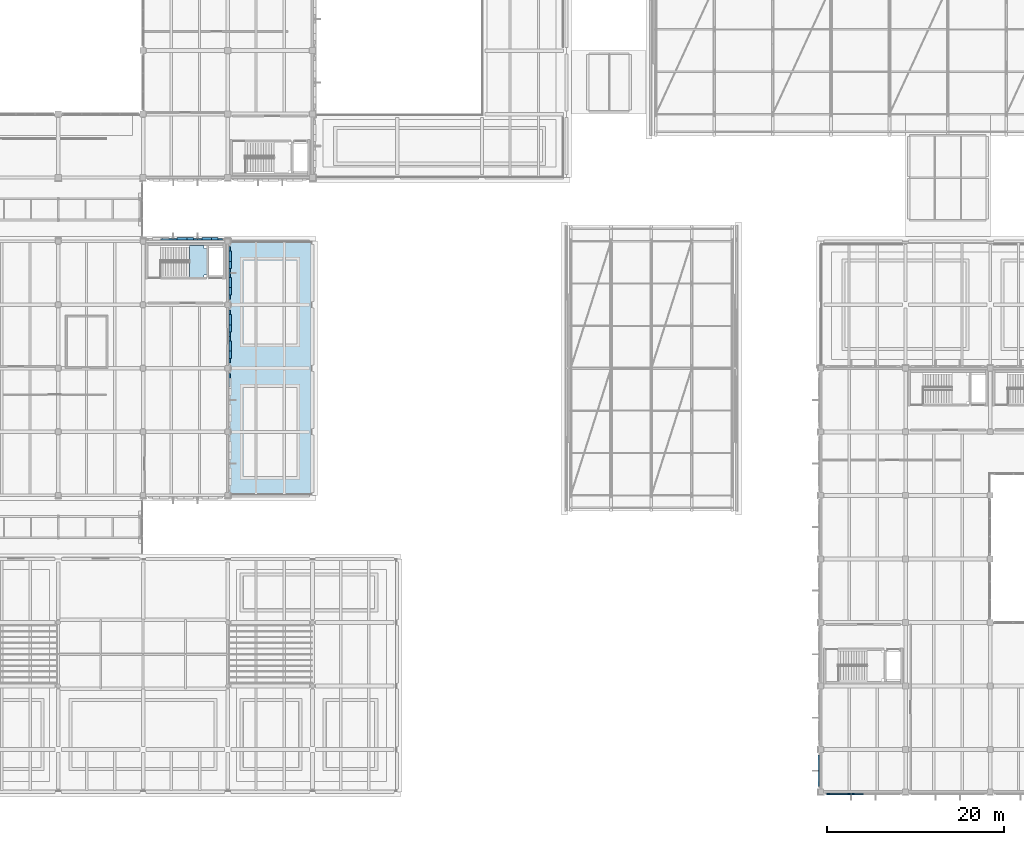
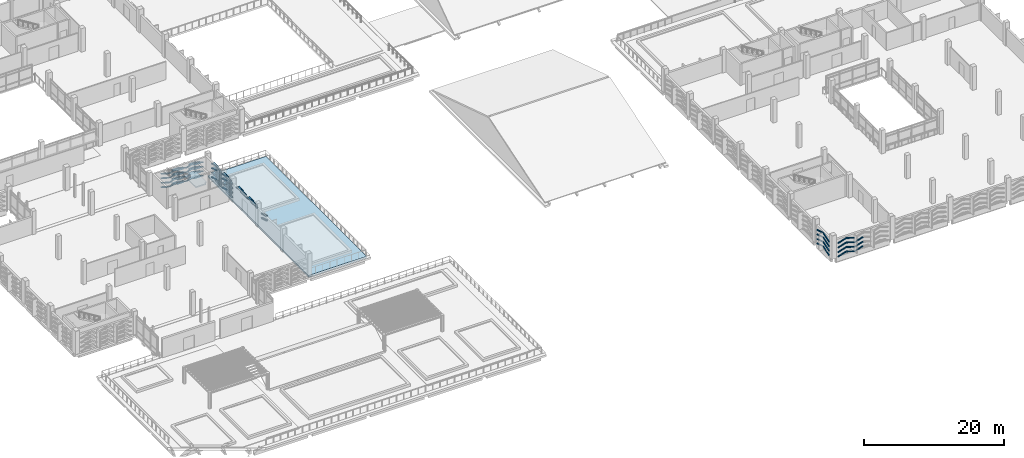
# One storey, part 92 of 134: 97 plates, 2 slabs, 1 element without a shape of its own.
"""IFC4 building model written with IfcOpenShell, lengths in metres."""

from ifc_helpers import new_model, si_unit, direction, frame, origin, origin_2d, place, context, subcontext, project, spatial, polyline, rectangle, hollow_rectangle, outline, extrude, material, layer, layer_set, material_profile, profile_set, type_object, element, aggregate, save


model = new_model("IFC4")

# Units and contexts
model_context = context("Model", 3, precision=1e-05, world=origin(), true_north=direction((0.0, 1.0)))
body_context = subcontext(model_context, "Body", "Model", "MODEL_VIEW")
ifc_project = project(units=[si_unit("LENGTHUNIT", "METRE"), si_unit("AREAUNIT", "SQUARE_METRE"), si_unit("VOLUMEUNIT", "CUBIC_METRE"), si_unit("PLANEANGLEUNIT", "RADIAN"), si_unit("MASSUNIT", "GRAM", prefix="KILO")], contexts=[model_context])

# Site, building, storey
site_placement = place(None, origin())
site = spatial("IfcSite", under=ifc_project, at=site_placement, CompositionType="ELEMENT")
building_placement = place(site_placement, origin())
building = spatial("IfcBuilding", under=site, at=building_placement, Name="Asteropetra Specialist Clinic", CompositionType="ELEMENT")
storey_placement = place(building_placement, frame((0.0, 0.0, 8.5)))
storey = spatial("IfcBuildingStorey", under=building, at=storey_placement, Name="L02", CompositionType="ELEMENT", Elevation=8.5)

# Plates
ifc_material_1 = material(Name="Chevron emerald aluminium 6063-T6", Category="aluminium")
ifc_material_profile = material_profile(ifc_material_1, hollow_rectangle(XDim=0.179931640625, YDim=0.179931640625, WallThickness=0.010009765625, InnerFilletRadius=0.008056640625, OuterFilletRadius=0.01611328125, at=origin_2d()), Name="SHS 180x180x10.0")
ifc_profile_set = profile_set([ifc_material_profile], Name="Chevron emerald aluminium 6063-T6")
plate_type_1 = type_object("IfcPlateType", Name="CHV-RIB-180", PredefinedType="SHEET", material=ifc_profile_set)
plate_1_placement = place(storey_placement, frame((37.760009765625, 62.636962890625, 0.050048828125), z_axis=(-0.952473286797, 0.0, 0.304622123191), x_axis=(0.0, -1.0, 0.0)))
element("IfcPlate", 1, at=plate_1_placement, inside=storey, type_object=plate_type_1, Name="Chevron Facade Screen Fin CVR-1774", PredefinedType="SHEET", context=body_context, shape_type="SweptSolid", body=[
    extrude(hollow_rectangle(XDim=0.179931640625, YDim=0.179931640625, WallThickness=0.010009765625, InnerFilletRadius=0.008056640625, OuterFilletRadius=0.01611328125, at=origin_2d()), origin(), (0.0, 0.0, 1.0), 1.44189453125),
])
plate_2_placement = place(storey_placement, frame((36.38671875, 62.636962890625, 0.4892578125), z_axis=(-0.952488995782, 0.0, -0.304573000962), x_axis=(0.0, -1.0, 0.0)))
element("IfcPlate", 2, at=plate_2_placement, inside=storey, type_object=plate_type_1, Name="Chevron Facade Screen Fin CVR-1775", PredefinedType="SHEET", context=body_context, shape_type="SweptSolid", body=[
    extrude(hollow_rectangle(XDim=0.179931640625, YDim=0.179931640625, WallThickness=0.010009765625, InnerFilletRadius=0.008056640625, OuterFilletRadius=0.01611328125, at=origin_2d()), origin(), (0.0, 0.0, 1.0), 1.442138671875),
])
plate_3_placement = place(storey_placement, frame((37.760009765625, 62.636962890625, 0.820068359375), z_axis=(-0.952473286797, 0.0, 0.304622123191), x_axis=(0.0, -1.0, 0.0)))
element("IfcPlate", 3, at=plate_3_placement, inside=storey, type_object=plate_type_1, Name="Chevron Facade Screen Fin CVR-1776", PredefinedType="SHEET", context=body_context, shape_type="SweptSolid", body=[
    extrude(hollow_rectangle(XDim=0.179931640625, YDim=0.179931640625, WallThickness=0.010009765625, InnerFilletRadius=0.008056640625, OuterFilletRadius=0.01611328125, at=origin_2d()), origin(), (0.0, 0.0, 1.0), 1.44189453125),
])
plate_4_placement = place(storey_placement, frame((36.38671875, 62.636962890625, 1.25927734375), z_axis=(-0.952488995782, 0.0, -0.304573000962), x_axis=(0.0, -1.0, 0.0)))
element("IfcPlate", 4, at=plate_4_placement, inside=storey, type_object=plate_type_1, Name="Chevron Facade Screen Fin CVR-1777", PredefinedType="SHEET", context=body_context, shape_type="SweptSolid", body=[
    extrude(hollow_rectangle(XDim=0.179931640625, YDim=0.179931640625, WallThickness=0.010009765625, InnerFilletRadius=0.008056640625, OuterFilletRadius=0.01611328125, at=origin_2d()), origin(), (0.0, 0.0, 1.0), 1.442138671875),
])
plate_5_placement = place(storey_placement, frame((37.760009765625, 62.636962890625, 1.6201171875), z_axis=(-0.952473286797, 0.0, 0.304622123191), x_axis=(0.0, -1.0, 0.0)))
element("IfcPlate", 5, at=plate_5_placement, inside=storey, type_object=plate_type_1, Name="Chevron Facade Screen Fin CVR-1778", PredefinedType="SHEET", context=body_context, shape_type="SweptSolid", body=[
    extrude(hollow_rectangle(XDim=0.179931640625, YDim=0.179931640625, WallThickness=0.010009765625, InnerFilletRadius=0.008056640625, OuterFilletRadius=0.01611328125, at=origin_2d()), origin(), (0.0, 0.0, 1.0), 1.44189453125),
])
plate_6_placement = place(storey_placement, frame((36.38671875, 62.636962890625, 2.059326171875), z_axis=(-0.952488995782, 0.0, -0.304573000962), x_axis=(0.0, -1.0, 0.0)))
element("IfcPlate", 6, at=plate_6_placement, inside=storey, type_object=plate_type_1, Name="Chevron Facade Screen Fin CVR-1779", PredefinedType="SHEET", context=body_context, shape_type="SweptSolid", body=[
    extrude(hollow_rectangle(XDim=0.179931640625, YDim=0.179931640625, WallThickness=0.010009765625, InnerFilletRadius=0.008056640625, OuterFilletRadius=0.01611328125, at=origin_2d()), origin(), (0.0, 0.0, 1.0), 1.442138671875),
])
plate_7_placement = place(storey_placement, frame((37.760009765625, 62.636962890625, 2.39990234375), z_axis=(-0.952424147199, 0.0, 0.304775727104), x_axis=(0.0, -1.0, 0.0)))
element("IfcPlate", 7, at=plate_7_placement, inside=storey, type_object=plate_type_1, Name="Chevron Facade Screen Fin CVR-1780", PredefinedType="SHEET", context=body_context, shape_type="SweptSolid", body=[
    extrude(hollow_rectangle(XDim=0.179931640625, YDim=0.179931640625, WallThickness=0.010009765625, InnerFilletRadius=0.008056640625, OuterFilletRadius=0.01611328125, at=origin_2d()), origin(), (0.0, 0.0, 1.0), 1.44189453125),
])
plate_8_placement = place(storey_placement, frame((36.38671875, 62.636962890625, 2.83935546875), z_axis=(-0.952439871219, 0.0, -0.304726585175), x_axis=(0.0, -1.0, 0.0)))
element("IfcPlate", 8, at=plate_8_placement, inside=storey, type_object=plate_type_1, Name="Chevron Facade Screen Fin CVR-1781", PredefinedType="SHEET", context=body_context, shape_type="SweptSolid", body=[
    extrude(hollow_rectangle(XDim=0.179931640625, YDim=0.179931640625, WallThickness=0.010009765625, InnerFilletRadius=0.008056640625, OuterFilletRadius=0.01611328125, at=origin_2d()), origin(), (0.0, 0.0, 1.0), 1.442138671875),
])
for number, where, z_axis, x_axis, name in (
    (9, (34.973388671875, 62.636962890625, 0.050048828125), (-0.952473286797, 0.0, 0.304622123191), (0.0, -1.0, 0.0), "Chevron Facade Screen Fin CVR-1782"),
    (10, (33.60009765625, 62.636962890625, 0.4892578125), (-0.952473286797, 0.0, -0.304622123191), (0.0, -1.0, 0.0), "Chevron Facade Screen Fin CVR-1783"),
    (11, (34.973388671875, 62.636962890625, 0.820068359375), (-0.952473286797, 0.0, 0.304622123191), (0.0, -1.0, 0.0), "Chevron Facade Screen Fin CVR-1784"),
    (12, (33.60009765625, 62.636962890625, 1.25927734375), (-0.952473286797, 0.0, -0.304622123191), (0.0, -1.0, 0.0), "Chevron Facade Screen Fin CVR-1785"),
    (13, (34.973388671875, 62.636962890625, 1.6201171875), (-0.952473286797, 0.0, 0.304622123191), (0.0, -1.0, 0.0), "Chevron Facade Screen Fin CVR-1786"),
    (14, (33.60009765625, 62.636962890625, 2.059326171875), (-0.952473286797, 0.0, -0.304622123191), (0.0, -1.0, 0.0), "Chevron Facade Screen Fin CVR-1787"),
    (15, (34.973388671875, 62.636962890625, 2.39990234375), (-0.952424147199, 0.0, 0.304775727104), (0.0, -1.0, 0.0), "Chevron Facade Screen Fin CVR-1788"),
    (16, (33.60009765625, 62.636962890625, 2.83935546875), (-0.952424147199, 0.0, -0.304775727104), (0.0, -1.0, 0.0), "Chevron Facade Screen Fin CVR-1789"),
):
    element("IfcPlate", number, at=place(storey_placement, frame(where, z_axis=z_axis, x_axis=x_axis)), inside=storey, type_object=plate_type_1, Name=name, PredefinedType="SHEET", context=body_context, shape_type="SweptSolid", body=[
        extrude(hollow_rectangle(XDim=0.179931640625, YDim=0.179931640625, WallThickness=0.010009765625, InnerFilletRadius=0.008056640625, OuterFilletRadius=0.01611328125, at=origin_2d()), origin(), (0.0, 0.0, 1.0), 1.44189453125),
    ])
for number, where, z_axis, x_axis, name in (
    (17, (32.186767578125, 62.636962890625, 0.050048828125), (-0.952488995782, 0.0, 0.304573000962), (0.0, -1.0, 0.0), "Chevron Facade Screen Fin CVR-1790"),
    (18, (32.186767578125, 62.636962890625, 0.820068359375), (-0.952488995782, 0.0, 0.304573000962), (0.0, -1.0, 0.0), "Chevron Facade Screen Fin CVR-1792"),
    (19, (32.186767578125, 62.636962890625, 1.6201171875), (-0.952488995782, 0.0, 0.304573000962), (0.0, -1.0, 0.0), "Chevron Facade Screen Fin CVR-1794"),
    (20, (32.186767578125, 62.636962890625, 2.39990234375), (-0.952439871219, 0.0, 0.304726585175), (0.0, -1.0, 0.0), "Chevron Facade Screen Fin CVR-1796"),
):
    element("IfcPlate", number, at=place(storey_placement, frame(where, z_axis=z_axis, x_axis=x_axis)), inside=storey, type_object=plate_type_1, Name=name, PredefinedType="SHEET", context=body_context, shape_type="SweptSolid", body=[
        extrude(hollow_rectangle(XDim=0.179931640625, YDim=0.179931640625, WallThickness=0.010009765625, InnerFilletRadius=0.008056640625, OuterFilletRadius=0.01611328125, at=origin_2d()), origin(), (0.0, 0.0, 1.0), 1.442138671875),
    ])
for number, where, z_axis, x_axis, name in (
    (21, (38.636962890625, 45.889892578125, 2.08984375), (0.0, 0.952563631942, -0.304339493168), (-1.0, 0.0, 0.0), "Chevron Facade Screen Fin CVR-1859"),
    (22, (38.636962890625, 45.889892578125, 2.869873046875), (0.0, 0.952517766347, -0.304483012324), (-1.0, 0.0, 0.0), "Chevron Facade Screen Fin CVR-1861"),
):
    element("IfcPlate", number, at=place(storey_placement, frame(where, z_axis=z_axis, x_axis=x_axis)), inside=storey, type_object=plate_type_1, Name=name, PredefinedType="SHEET", context=body_context, shape_type="SweptSolid", body=[
        extrude(hollow_rectangle(XDim=0.179931640625, YDim=0.179931640625, WallThickness=0.010009765625, InnerFilletRadius=0.008056640625, OuterFilletRadius=0.01611328125, at=origin_2d()), origin(), (0.0, 0.0, 1.0), 1.54345703125),
    ])
plate_9_placement = place(storey_placement, frame((38.636962890625, 48.639892578125, 2.60009765625), z_axis=(0.0, 0.963260802126, 0.268567732775), x_axis=(-1.0, 0.0, 0.0)))
element("IfcPlate", 23, at=plate_9_placement, inside=storey, type_object=plate_type_1, Name="Chevron Facade Screen Fin CVR-1878", PredefinedType="SHEET", context=body_context, shape_type="SweptSolid", body=[
    extrude(hollow_rectangle(XDim=0.179931640625, YDim=0.179931640625, WallThickness=0.010009765625, InnerFilletRadius=0.008056640625, OuterFilletRadius=0.01611328125, at=origin_2d()), origin(), (0.0, 0.0, 1.0), 1.5263671875),
])
for number, where, z_axis, x_axis, name in (
    (24, (38.636962890625, 50.110107421875, 3.010009765625), (0.0, 0.963249261983, -0.268609119892), (-1.0, 0.0, 0.0), "Chevron Facade Screen Fin CVR-1879"),
    (25, (38.636962890625, 51.6201171875, 2.60009765625), (0.0, 0.963249261983, 0.268609119892), (-1.0, 0.0, 0.0), "Chevron Facade Screen Fin CVR-1880"),
    (26, (38.636962890625, 53.090087890625, 3.010009765625), (0.0, 0.963249261983, -0.268609119892), (-1.0, 0.0, 0.0), "Chevron Facade Screen Fin CVR-1881"),
):
    element("IfcPlate", number, at=place(storey_placement, frame(where, z_axis=z_axis, x_axis=x_axis)), inside=storey, type_object=plate_type_1, Name=name, PredefinedType="SHEET", context=body_context, shape_type="SweptSolid", body=[
        extrude(hollow_rectangle(XDim=0.179931640625, YDim=0.179931640625, WallThickness=0.010009765625, InnerFilletRadius=0.008056640625, OuterFilletRadius=0.01611328125, at=origin_2d()), origin(), (0.0, 0.0, 1.0), 1.526123046875),
    ])
for number, where, z_axis, x_axis, name in (
    (27, (38.636962890625, 55.840087890625, 0.050048828125), (0.0, 0.952548977542, 0.304385356717), (-1.0, 0.0, 0.0), "Chevron Facade Screen Fin CVR-1898"),
    (28, (38.636962890625, 57.31005859375, 0.519775390625), (0.0, 0.952548977542, -0.304385356717), (-1.0, 0.0, 0.0), "Chevron Facade Screen Fin CVR-1899"),
    (29, (38.636962890625, 55.840087890625, 0.820068359375), (0.0, 0.952548977542, 0.304385356717), (-1.0, 0.0, 0.0), "Chevron Facade Screen Fin CVR-1900"),
    (30, (38.636962890625, 57.31005859375, 1.289794921875), (0.0, 0.952548977542, -0.304385356717), (-1.0, 0.0, 0.0), "Chevron Facade Screen Fin CVR-1901"),
    (31, (38.636962890625, 55.840087890625, 1.6201171875), (0.0, 0.952548977542, 0.304385356717), (-1.0, 0.0, 0.0), "Chevron Facade Screen Fin CVR-1902"),
    (32, (38.636962890625, 57.31005859375, 2.08984375), (0.0, 0.952548977542, -0.304385356717), (-1.0, 0.0, 0.0), "Chevron Facade Screen Fin CVR-1903"),
    (33, (38.636962890625, 55.840087890625, 2.39990234375), (0.0, 0.952503098829, 0.304528893082), (-1.0, 0.0, 0.0), "Chevron Facade Screen Fin CVR-1904"),
    (34, (38.636962890625, 57.31005859375, 2.869873046875), (0.0, 0.952503098829, -0.304528893082), (-1.0, 0.0, 0.0), "Chevron Facade Screen Fin CVR-1905"),
    (35, (38.636962890625, 58.820068359375, 0.050048828125), (0.0, 0.952548977542, 0.304385356717), (-1.0, 0.0, 0.0), "Chevron Facade Screen Fin CVR-1906"),
    (36, (38.636962890625, 60.2900390625, 0.519775390625), (0.0, 0.952548977542, -0.304385356717), (-1.0, 0.0, 0.0), "Chevron Facade Screen Fin CVR-1907"),
    (37, (38.636962890625, 58.820068359375, 0.820068359375), (0.0, 0.952548977542, 0.304385356717), (-1.0, 0.0, 0.0), "Chevron Facade Screen Fin CVR-1908"),
    (38, (38.636962890625, 60.2900390625, 1.289794921875), (0.0, 0.952548977542, -0.304385356717), (-1.0, 0.0, 0.0), "Chevron Facade Screen Fin CVR-1909"),
    (39, (38.636962890625, 58.820068359375, 1.6201171875), (0.0, 0.952548977542, 0.304385356717), (-1.0, 0.0, 0.0), "Chevron Facade Screen Fin CVR-1910"),
    (40, (38.636962890625, 60.2900390625, 2.08984375), (0.0, 0.952548977542, -0.304385356717), (-1.0, 0.0, 0.0), "Chevron Facade Screen Fin CVR-1911"),
    (41, (38.636962890625, 58.820068359375, 2.39990234375), (0.0, 0.952503098829, 0.304528893082), (-1.0, 0.0, 0.0), "Chevron Facade Screen Fin CVR-1912"),
    (42, (38.636962890625, 60.2900390625, 2.869873046875), (0.0, 0.952503098829, -0.304528893082), (-1.0, 0.0, 0.0), "Chevron Facade Screen Fin CVR-1913"),
):
    element("IfcPlate", number, at=place(storey_placement, frame(where, z_axis=z_axis, x_axis=x_axis)), inside=storey, type_object=plate_type_1, Name=name, PredefinedType="SHEET", context=body_context, shape_type="SweptSolid", body=[
        extrude(hollow_rectangle(XDim=0.179931640625, YDim=0.179931640625, WallThickness=0.010009765625, InnerFilletRadius=0.008056640625, OuterFilletRadius=0.01611328125, at=origin_2d()), origin(), (0.0, 0.0, 1.0), 1.543212890625),
    ])
plate_10_placement = place(storey_placement, frame((106.264892578125, -0.239501953125, 0.050048828125), z_axis=(0.952430080856, 0.0, 0.304757183805), x_axis=(0.0, 1.0, 0.0)))
element("IfcPlate", 43, at=plate_10_placement, inside=storey, type_object=plate_type_1, Name="Chevron Facade Screen Fin CVR-2464", PredefinedType="SHEET", context=body_context, shape_type="SweptSolid", body=[
    extrude(hollow_rectangle(XDim=0.179931640625, YDim=0.179931640625, WallThickness=0.010009765625, InnerFilletRadius=0.008056640625, OuterFilletRadius=0.01611328125, at=origin_2d()), origin(), (0.0, 0.0, 1.0), 1.43310546875),
])
plate_11_placement = place(storey_placement, frame((107.6298828125, -0.239501953125, 0.48681640625), z_axis=(0.952445898647, 0.0, -0.304707745472), x_axis=(0.0, 1.0, 0.0)))
element("IfcPlate", 44, at=plate_11_placement, inside=storey, type_object=plate_type_1, Name="Chevron Facade Screen Fin CVR-2465", PredefinedType="SHEET", context=body_context, shape_type="SweptSolid", body=[
    extrude(hollow_rectangle(XDim=0.179931640625, YDim=0.179931640625, WallThickness=0.010009765625, InnerFilletRadius=0.008056640625, OuterFilletRadius=0.01611328125, at=origin_2d()), origin(), (0.0, 0.0, 1.0), 1.433349609375),
])
plate_12_placement = place(storey_placement, frame((106.264892578125, -0.239501953125, 0.820068359375), z_axis=(0.952479516829, 0.0, 0.304602642835), x_axis=(0.0, 1.0, 0.0)))
element("IfcPlate", 45, at=plate_12_placement, inside=storey, type_object=plate_type_1, Name="Chevron Facade Screen Fin CVR-2466", PredefinedType="SHEET", context=body_context, shape_type="SweptSolid", body=[
    extrude(hollow_rectangle(XDim=0.179931640625, YDim=0.179931640625, WallThickness=0.010009765625, InnerFilletRadius=0.008056640625, OuterFilletRadius=0.01611328125, at=origin_2d()), origin(), (0.0, 0.0, 1.0), 1.43310546875),
])
plate_13_placement = place(storey_placement, frame((107.6298828125, -0.239501953125, 1.256591796875), z_axis=(0.952495319401, 0.0, -0.304553224444), x_axis=(0.0, 1.0, 0.0)))
element("IfcPlate", 46, at=plate_13_placement, inside=storey, type_object=plate_type_1, Name="Chevron Facade Screen Fin CVR-2467", PredefinedType="SHEET", context=body_context, shape_type="SweptSolid", body=[
    extrude(hollow_rectangle(XDim=0.179931640625, YDim=0.179931640625, WallThickness=0.010009765625, InnerFilletRadius=0.008056640625, OuterFilletRadius=0.01611328125, at=origin_2d()), origin(), (0.0, 0.0, 1.0), 1.433349609375),
])
plate_14_placement = place(storey_placement, frame((106.264892578125, -0.239501953125, 1.6201171875), z_axis=(0.952479516829, 0.0, 0.304602642835), x_axis=(0.0, 1.0, 0.0)))
element("IfcPlate", 47, at=plate_14_placement, inside=storey, type_object=plate_type_1, Name="Chevron Facade Screen Fin CVR-2468", PredefinedType="SHEET", context=body_context, shape_type="SweptSolid", body=[
    extrude(hollow_rectangle(XDim=0.179931640625, YDim=0.179931640625, WallThickness=0.010009765625, InnerFilletRadius=0.008056640625, OuterFilletRadius=0.01611328125, at=origin_2d()), origin(), (0.0, 0.0, 1.0), 1.43310546875),
])
plate_15_placement = place(storey_placement, frame((107.6298828125, -0.239501953125, 2.056640625), z_axis=(0.952495319401, 0.0, -0.304553224444), x_axis=(0.0, 1.0, 0.0)))
element("IfcPlate", 48, at=plate_15_placement, inside=storey, type_object=plate_type_1, Name="Chevron Facade Screen Fin CVR-2469", PredefinedType="SHEET", context=body_context, shape_type="SweptSolid", body=[
    extrude(hollow_rectangle(XDim=0.179931640625, YDim=0.179931640625, WallThickness=0.010009765625, InnerFilletRadius=0.008056640625, OuterFilletRadius=0.01611328125, at=origin_2d()), origin(), (0.0, 0.0, 1.0), 1.433349609375),
])
plate_16_placement = place(storey_placement, frame((106.264892578125, -0.239501953125, 2.39990234375), z_axis=(0.952430080856, 0.0, 0.304757183805), x_axis=(0.0, 1.0, 0.0)))
element("IfcPlate", 49, at=plate_16_placement, inside=storey, type_object=plate_type_1, Name="Chevron Facade Screen Fin CVR-2470", PredefinedType="SHEET", context=body_context, shape_type="SweptSolid", body=[
    extrude(hollow_rectangle(XDim=0.179931640625, YDim=0.179931640625, WallThickness=0.010009765625, InnerFilletRadius=0.008056640625, OuterFilletRadius=0.01611328125, at=origin_2d()), origin(), (0.0, 0.0, 1.0), 1.43310546875),
])
plate_17_placement = place(storey_placement, frame((107.6298828125, -0.239501953125, 2.836669921875), z_axis=(0.952445898647, 0.0, -0.304707745472), x_axis=(0.0, 1.0, 0.0)))
element("IfcPlate", 50, at=plate_17_placement, inside=storey, type_object=plate_type_1, Name="Chevron Facade Screen Fin CVR-2471", PredefinedType="SHEET", context=body_context, shape_type="SweptSolid", body=[
    extrude(hollow_rectangle(XDim=0.179931640625, YDim=0.179931640625, WallThickness=0.010009765625, InnerFilletRadius=0.008056640625, OuterFilletRadius=0.01611328125, at=origin_2d()), origin(), (0.0, 0.0, 1.0), 1.433349609375),
])
for number, where, z_axis, x_axis, name in (
    (51, (109.034912109375, -0.239501953125, 0.050048828125), (0.952430080856, 0.0, 0.304757183805), (0.0, 1.0, 0.0), "Chevron Facade Screen Fin CVR-2472"),
    (52, (109.034912109375, -0.239501953125, 0.820068359375), (0.952479516829, 0.0, 0.304602642835), (0.0, 1.0, 0.0), "Chevron Facade Screen Fin CVR-2474"),
    (53, (109.034912109375, -0.239501953125, 1.6201171875), (0.952479516829, 0.0, 0.304602642835), (0.0, 1.0, 0.0), "Chevron Facade Screen Fin CVR-2476"),
):
    element("IfcPlate", number, at=place(storey_placement, frame(where, z_axis=z_axis, x_axis=x_axis)), inside=storey, type_object=plate_type_1, Name=name, PredefinedType="SHEET", context=body_context, shape_type="SweptSolid", body=[
        extrude(hollow_rectangle(XDim=0.179931640625, YDim=0.179931640625, WallThickness=0.010009765625, InnerFilletRadius=0.008056640625, OuterFilletRadius=0.01611328125, at=origin_2d()), origin(), (0.0, 0.0, 1.0), 1.43310546875),
    ])
plate_18_placement = place(storey_placement, frame((105.360595703125, 4.135009765625, 0.050048828125), z_axis=(0.0, -0.952744267711, 0.303773534633), x_axis=(1.0, 0.0, 0.0)))
element("IfcPlate", 54, at=plate_18_placement, inside=storey, type_object=plate_type_1, Name="Chevron Facade Screen Fin CVR-2686", PredefinedType="SHEET", context=body_context, shape_type="SweptSolid", body=[
    extrude(hollow_rectangle(XDim=0.179931640625, YDim=0.179931640625, WallThickness=0.010009765625, InnerFilletRadius=0.008056640625, OuterFilletRadius=0.01611328125, at=origin_2d()), origin(), (0.0, 0.0, 1.0), 1.8212890625),
])
plate_19_placement = place(storey_placement, frame((105.360595703125, 2.39990234375, 0.603271484375), z_axis=(0.0, -0.952731894766, -0.303812337959), x_axis=(1.0, 0.0, 0.0)))
element("IfcPlate", 55, at=plate_19_placement, inside=storey, type_object=plate_type_1, Name="Chevron Facade Screen Fin CVR-2687", PredefinedType="SHEET", context=body_context, shape_type="SweptSolid", body=[
    extrude(hollow_rectangle(XDim=0.179931640625, YDim=0.179931640625, WallThickness=0.010009765625, InnerFilletRadius=0.008056640625, OuterFilletRadius=0.01611328125, at=origin_2d()), origin(), (0.0, 0.0, 1.0), 1.821044921875),
])
plate_20_placement = place(storey_placement, frame((105.360595703125, 4.135009765625, 0.820068359375), z_axis=(0.0, -0.952744267711, 0.303773534633), x_axis=(1.0, 0.0, 0.0)))
element("IfcPlate", 56, at=plate_20_placement, inside=storey, type_object=plate_type_1, Name="Chevron Facade Screen Fin CVR-2688", PredefinedType="SHEET", context=body_context, shape_type="SweptSolid", body=[
    extrude(hollow_rectangle(XDim=0.179931640625, YDim=0.179931640625, WallThickness=0.010009765625, InnerFilletRadius=0.008056640625, OuterFilletRadius=0.01611328125, at=origin_2d()), origin(), (0.0, 0.0, 1.0), 1.8212890625),
])
plate_21_placement = place(storey_placement, frame((105.360595703125, 2.39990234375, 1.373291015625), z_axis=(0.0, -0.952731894766, -0.303812337959), x_axis=(1.0, 0.0, 0.0)))
element("IfcPlate", 57, at=plate_21_placement, inside=storey, type_object=plate_type_1, Name="Chevron Facade Screen Fin CVR-2689", PredefinedType="SHEET", context=body_context, shape_type="SweptSolid", body=[
    extrude(hollow_rectangle(XDim=0.179931640625, YDim=0.179931640625, WallThickness=0.010009765625, InnerFilletRadius=0.008056640625, OuterFilletRadius=0.01611328125, at=origin_2d()), origin(), (0.0, 0.0, 1.0), 1.821044921875),
])
plate_22_placement = place(storey_placement, frame((105.360595703125, 4.135009765625, 1.6201171875), z_axis=(0.0, -0.952744267711, 0.303773534633), x_axis=(1.0, 0.0, 0.0)))
element("IfcPlate", 58, at=plate_22_placement, inside=storey, type_object=plate_type_1, Name="Chevron Facade Screen Fin CVR-2690", PredefinedType="SHEET", context=body_context, shape_type="SweptSolid", body=[
    extrude(hollow_rectangle(XDim=0.179931640625, YDim=0.179931640625, WallThickness=0.010009765625, InnerFilletRadius=0.008056640625, OuterFilletRadius=0.01611328125, at=origin_2d()), origin(), (0.0, 0.0, 1.0), 1.8212890625),
])
plate_23_placement = place(storey_placement, frame((105.360595703125, 2.39990234375, 2.17333984375), z_axis=(0.0, -0.952731894766, -0.303812337959), x_axis=(1.0, 0.0, 0.0)))
element("IfcPlate", 59, at=plate_23_placement, inside=storey, type_object=plate_type_1, Name="Chevron Facade Screen Fin CVR-2691", PredefinedType="SHEET", context=body_context, shape_type="SweptSolid", body=[
    extrude(hollow_rectangle(XDim=0.179931640625, YDim=0.179931640625, WallThickness=0.010009765625, InnerFilletRadius=0.008056640625, OuterFilletRadius=0.01611328125, at=origin_2d()), origin(), (0.0, 0.0, 1.0), 1.821044921875),
])
plate_24_placement = place(storey_placement, frame((105.360595703125, 4.135009765625, 2.39990234375), z_axis=(0.0, -0.952705462899, 0.303895213788), x_axis=(1.0, 0.0, 0.0)))
element("IfcPlate", 60, at=plate_24_placement, inside=storey, type_object=plate_type_1, Name="Chevron Facade Screen Fin CVR-2692", PredefinedType="SHEET", context=body_context, shape_type="SweptSolid", body=[
    extrude(hollow_rectangle(XDim=0.179931640625, YDim=0.179931640625, WallThickness=0.010009765625, InnerFilletRadius=0.008056640625, OuterFilletRadius=0.01611328125, at=origin_2d()), origin(), (0.0, 0.0, 1.0), 1.8212890625),
])
plate_25_placement = place(storey_placement, frame((105.360595703125, 2.39990234375, 2.953369140625), z_axis=(0.0, -0.952693080543, -0.303934029495), x_axis=(1.0, 0.0, 0.0)))
element("IfcPlate", 61, at=plate_25_placement, inside=storey, type_object=plate_type_1, Name="Chevron Facade Screen Fin CVR-2693", PredefinedType="SHEET", context=body_context, shape_type="SweptSolid", body=[
    extrude(hollow_rectangle(XDim=0.179931640625, YDim=0.179931640625, WallThickness=0.010009765625, InnerFilletRadius=0.008056640625, OuterFilletRadius=0.01611328125, at=origin_2d()), origin(), (0.0, 0.0, 1.0), 1.821044921875),
])
ifc_material_2 = material(Name="Aluminium 6063-T6", Category="aluminium")
ifc_layer_1 = layer(ifc_material_2, 0.139892578125)
ifc_layer_set_1 = layer_set([ifc_layer_1], Name="Aluminium 6063-T6")
plate_type_2 = type_object("IfcPlateType", Name="PLT-CHV-TILE", PredefinedType="SHEET", material=ifc_layer_set_1)
for number, where, z_axis, x_axis, name in (
    (62, (36.771240234375, 62.68505859375, 0.03173828125), (0.0, 0.0, 1.0), (1.0, 0.0, 0.0), "Chevron Ceramic Panel CPT-1425"),
    (63, (36.002197265625, 62.68505859375, 0.19873046875), (0.0, 0.0, 1.0), (1.0, 0.0, 0.0), "Chevron Ceramic Panel CPT-1426"),
    (64, (36.771240234375, 62.68505859375, 0.8017578125), (0.0, 0.0, 1.0), (1.0, 0.0, 0.0), "Chevron Ceramic Panel CPT-1427"),
    (65, (36.002197265625, 62.68505859375, 0.96875), (0.0, 0.0, 1.0), (1.0, 0.0, 0.0), "Chevron Ceramic Panel CPT-1428"),
    (66, (36.771240234375, 62.68505859375, 1.6015625), (0.0, 0.0, 1.0), (1.0, 0.0, 0.0), "Chevron Ceramic Panel CPT-1429"),
    (67, (36.002197265625, 62.68505859375, 1.7685546875), (0.0, 0.0, 1.0), (1.0, 0.0, 0.0), "Chevron Ceramic Panel CPT-1430"),
    (68, (36.771240234375, 62.68505859375, 2.3818359375), (0.0, 0.0, 1.0), (1.0, 0.0, 0.0), "Chevron Ceramic Panel CPT-1431"),
    (69, (36.002197265625, 62.68505859375, 2.548828125), (0.0, 0.0, 1.0), (1.0, 0.0, 0.0), "Chevron Ceramic Panel CPT-1432"),
    (70, (33.984619140625, 62.68505859375, 0.03173828125), (0.0, 0.0, 1.0), (1.0, 0.0, 0.0), "Chevron Ceramic Panel CPT-1433"),
    (71, (33.215576171875, 62.68505859375, 0.19873046875), (0.0, 0.0, 1.0), (1.0, 0.0, 0.0), "Chevron Ceramic Panel CPT-1434"),
    (72, (33.984619140625, 62.68505859375, 0.8017578125), (0.0, 0.0, 1.0), (1.0, 0.0, 0.0), "Chevron Ceramic Panel CPT-1435"),
    (73, (33.215576171875, 62.68505859375, 0.96875), (0.0, 0.0, 1.0), (1.0, 0.0, 0.0), "Chevron Ceramic Panel CPT-1436"),
    (74, (33.984619140625, 62.68505859375, 1.6015625), (0.0, 0.0, 1.0), (1.0, 0.0, 0.0), "Chevron Ceramic Panel CPT-1437"),
    (75, (33.215576171875, 62.68505859375, 1.7685546875), (0.0, 0.0, 1.0), (1.0, 0.0, 0.0), "Chevron Ceramic Panel CPT-1438"),
    (76, (33.984619140625, 62.68505859375, 2.3818359375), (0.0, 0.0, 1.0), (1.0, 0.0, 0.0), "Chevron Ceramic Panel CPT-1439"),
    (77, (33.215576171875, 62.68505859375, 2.548828125), (0.0, 0.0, 1.0), (1.0, 0.0, 0.0), "Chevron Ceramic Panel CPT-1440"),
):
    element("IfcPlate", number, at=place(storey_placement, frame(where, z_axis=z_axis, x_axis=x_axis)), inside=storey, type_object=plate_type_2, Name=name, PredefinedType="SHEET", context=body_context, shape_type="SweptSolid", body=[
        extrude(rectangle(XDim=1.09912109375, YDim=0.280029296875, at=origin_2d()), origin(), (0.0, 0.0, 1.0), 0.300048828125),
    ])
for number, where, z_axis, x_axis, name in (
    (78, (38.68505859375, 49.698486328125, 2.57275390625), (0.0, 0.0, 1.0), (1.0, 0.0, 0.0), "Chevron Ceramic Panel CPT-1529"),
    (79, (38.68505859375, 50.521484375, 2.72900390625), (0.0, 0.0, 1.0), (1.0, 0.0, 0.0), "Chevron Ceramic Panel CPT-1530"),
    (80, (38.68505859375, 52.678466796875, 2.57275390625), (0.0, 0.0, 1.0), (1.0, 0.0, 0.0), "Chevron Ceramic Panel CPT-1531"),
    (81, (38.68505859375, 53.501708984375, 2.72900390625), (0.0, 0.0, 1.0), (1.0, 0.0, 0.0), "Chevron Ceramic Panel CPT-1532"),
    (82, (38.68505859375, 56.8984375, 0.041015625), (0.0, 0.0, 1.0), (1.0, 0.0, 0.0), "Chevron Ceramic Panel CPT-1549"),
    (83, (38.68505859375, 57.7216796875, 0.21923828125), (0.0, 0.0, 1.0), (1.0, 0.0, 0.0), "Chevron Ceramic Panel CPT-1550"),
    (84, (38.68505859375, 56.8984375, 0.81103515625), (0.0, 0.0, 1.0), (1.0, 0.0, 0.0), "Chevron Ceramic Panel CPT-1551"),
    (85, (38.68505859375, 57.7216796875, 0.9892578125), (0.0, 0.0, 1.0), (1.0, 0.0, 0.0), "Chevron Ceramic Panel CPT-1552"),
    (86, (38.68505859375, 56.8984375, 1.61083984375), (0.0, 0.0, 1.0), (1.0, 0.0, 0.0), "Chevron Ceramic Panel CPT-1553"),
    (87, (38.68505859375, 57.7216796875, 1.78955078125), (0.0, 0.0, 1.0), (1.0, 0.0, 0.0), "Chevron Ceramic Panel CPT-1554"),
    (88, (38.68505859375, 56.8984375, 2.39111328125), (0.0, 0.0, 1.0), (1.0, 0.0, 0.0), "Chevron Ceramic Panel CPT-1555"),
    (89, (38.68505859375, 57.7216796875, 2.5693359375), (0.0, 0.0, 1.0), (1.0, 0.0, 0.0), "Chevron Ceramic Panel CPT-1556"),
    (90, (38.68505859375, 59.87841796875, 0.041015625), (0.0, 0.0, 1.0), (1.0, 0.0, 0.0), "Chevron Ceramic Panel CPT-1557"),
    (91, (38.68505859375, 60.70166015625, 0.21923828125), (0.0, 0.0, 1.0), (1.0, 0.0, 0.0), "Chevron Ceramic Panel CPT-1558"),
    (92, (38.68505859375, 59.87841796875, 0.81103515625), (0.0, 0.0, 1.0), (1.0, 0.0, 0.0), "Chevron Ceramic Panel CPT-1559"),
    (93, (38.68505859375, 60.70166015625, 0.9892578125), (0.0, 0.0, 1.0), (1.0, 0.0, 0.0), "Chevron Ceramic Panel CPT-1560"),
    (94, (38.68505859375, 59.87841796875, 1.61083984375), (0.0, 0.0, 1.0), (1.0, 0.0, 0.0), "Chevron Ceramic Panel CPT-1561"),
    (95, (38.68505859375, 60.70166015625, 1.78955078125), (0.0, 0.0, 1.0), (1.0, 0.0, 0.0), "Chevron Ceramic Panel CPT-1562"),
    (96, (38.68505859375, 59.87841796875, 2.39111328125), (0.0, 0.0, 1.0), (1.0, 0.0, 0.0), "Chevron Ceramic Panel CPT-1563"),
    (97, (38.68505859375, 60.70166015625, 2.5693359375), (0.0, 0.0, 1.0), (1.0, 0.0, 0.0), "Chevron Ceramic Panel CPT-1564"),
):
    element("IfcPlate", number, at=place(storey_placement, frame(where, z_axis=z_axis, x_axis=x_axis)), inside=storey, type_object=plate_type_2, Name=name, PredefinedType="SHEET", context=body_context, shape_type="SweptSolid", body=[
        extrude(rectangle(XDim=0.280029296875, YDim=1.176025390625, at=origin_2d()), origin(), (0.0, 0.0, 1.0), 0.300048828125),
    ])

# Stair, slab
ifc_material_3 = material(Name="Concrete C35/45", Category="concrete")
stair_type = type_object("IfcStairType", Name="STR-DOG-160", PredefinedType="TWO_STRAIGHT_RUN_STAIR", material=ifc_material_3)
stair_placement = place(storey_placement, origin())
stair = element("IfcStair", 98, at=stair_placement, inside=storey, type_object=stair_type, Name="Type I Stair ST05-L02", PredefinedType="TWO_STRAIGHT_RUN_STAIR")
ifc_material_4 = material(Name="Concrete C35/45", Category="concrete")
ifc_layer_2 = layer(ifc_material_4, 0.199951171875)
ifc_layer_set_2 = layer_set([ifc_layer_2], Name="Concrete C35/45")
slab_type_1 = type_object("IfcSlabType", Name="SLB-LND-200", PredefinedType="LANDING", material=ifc_layer_set_2)
slab_1_placement = place(storey_placement, frame((0.0, 0.0, 1.840087890625)))
slab_1 = element("IfcSlab", 99, at=slab_1_placement, type_object=slab_type_1, Name="ST05-L02 landing 1", PredefinedType="LANDING", context=body_context, shape_type="SweptSolid", body=[
    extrude(outline(polyline([(34.050048828125, 58.27001953125), (35.699951171875, 58.27001953125), (35.699951171875, 58.590087890625), (36.02001953125, 58.590087890625), (36.02001953125, 61.590087890625), (35.699951171875, 61.590087890625), (35.699951171875, 61.909912109375), (34.050048828125, 61.909912109375), (34.050048828125, 58.27001953125)])), origin(), (0.0, 0.0, 1.0), 0.199951171875),
])
aggregate(stair, [slab_1])

# Slab
ifc_material_5 = material(Name="Concrete C35/45", Category="concrete")
ifc_layer_3 = layer(ifc_material_5, 0.31005859375)
ifc_layer_set_3 = layer_set([ifc_layer_3], Name="Concrete C35/45")
slab_type_2 = type_object("IfcSlabType", Name="SLB-TER-310", PredefinedType="ROOF", material=ifc_layer_set_3)
slab_2_placement = place(storey_placement, frame((0.0, 0.0, -0.31005859375)))
element("IfcSlab", 100, at=slab_2_placement, inside=storey, type_object=slab_type_2, Name="Slab V5-EAST-TERRACE L02", PredefinedType="ROOF", context=body_context, shape_type="SweptSolid", body=[
    extrude(outline(polyline([(38.39990234375, 33.60009765625), (48.0, 33.60009765625), (48.0, 62.39990234375), (38.39990234375, 62.39990234375), (38.39990234375, 33.60009765625)])), origin(), (0.0, 0.0, 1.0), 0.31005859375),
])

save(model, "model.ifc")
